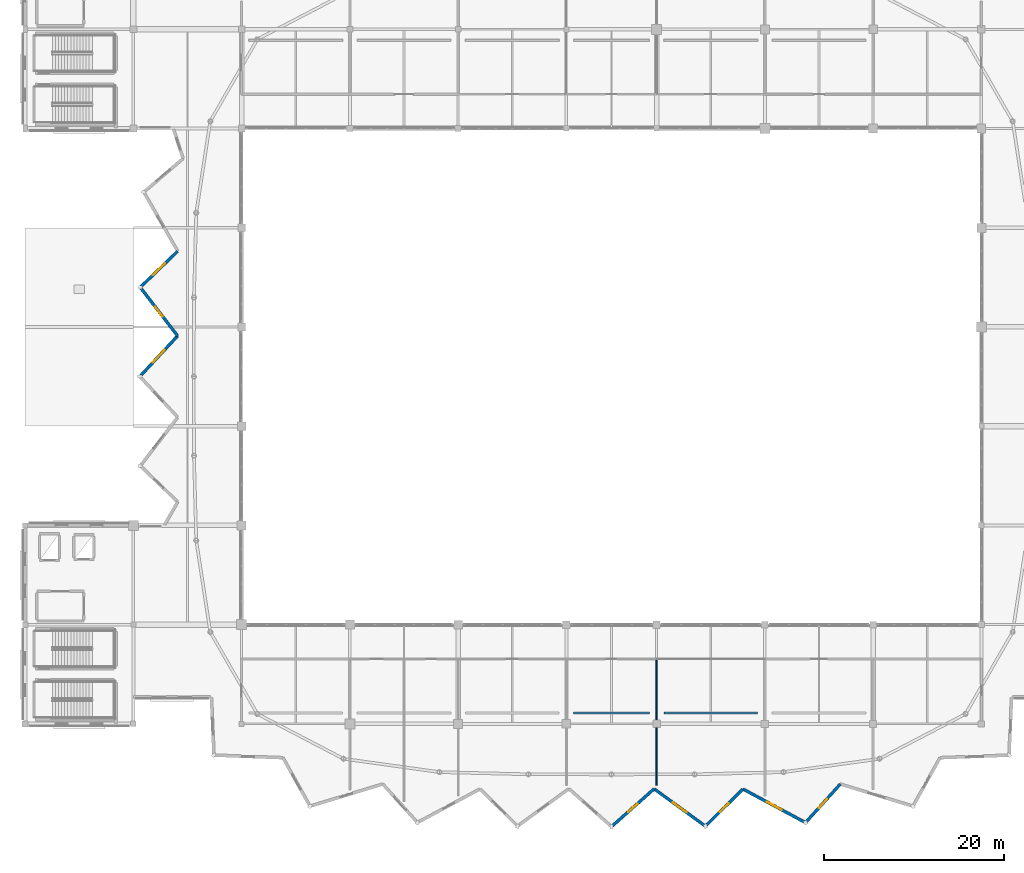
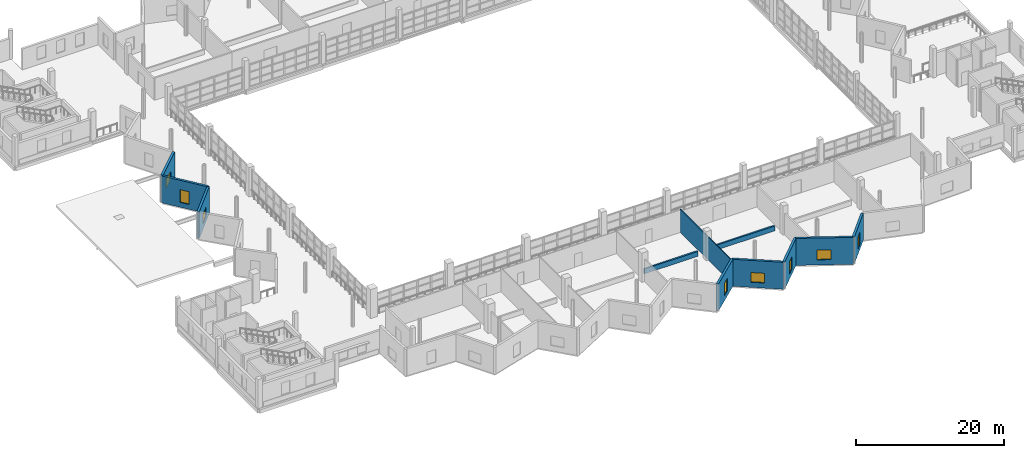
# One storey, part 37 of 53: 11 walls, 8 windows, 8 openings.
"""IFC4 building model written with IfcOpenShell, lengths in metres."""

from ifc_helpers import new_model, si_unit, direction, frame, frame_2d, origin, place, context, subcontext, project, spatial, rectangle, extrude, material, layer, layer_set, type_object, element, fill, save


model = new_model("IFC4")

# Units and contexts
model_context = context("Model", 3, precision=1e-05, world=origin(), true_north=direction((0.0, 1.0)))
body_context = subcontext(model_context, "Body", "Model", "MODEL_VIEW")
ifc_project = project(units=[si_unit("LENGTHUNIT", "METRE"), si_unit("AREAUNIT", "SQUARE_METRE"), si_unit("VOLUMEUNIT", "CUBIC_METRE"), si_unit("PLANEANGLEUNIT", "RADIAN"), si_unit("MASSUNIT", "GRAM", prefix="KILO")], contexts=[model_context])

# Site, building, storey
site_placement = place(None, origin())
site = spatial("IfcSite", under=ifc_project, at=site_placement, CompositionType="ELEMENT")
building_placement = place(site_placement, origin())
building = spatial("IfcBuilding", under=site, at=building_placement, Name="Luwafu Chhajja Arena", CompositionType="ELEMENT")
storey_placement = place(building_placement, frame((0.0, 0.0, 19.5)))
storey = spatial("IfcBuildingStorey", under=building, at=storey_placement, Name="L04", CompositionType="ELEMENT", Elevation=19.5)

# Wall
ifc_material_1 = material(Name="Lightweight blockwork partition", Category="masonry")
ifc_layer_1 = layer(ifc_material_1, 0.139892578125, Name="Lightweight blockwork partition")
ifc_layer_set_1 = layer_set([ifc_layer_1], Name="Lightweight blockwork partition")
wall_type_1 = type_object("IfcWallType", Name="Concourse Kiosk Partition 140", PredefinedType="PARTITIONING", material=ifc_layer_set_1)
wall_1_placement = place(storey_placement, frame((104.0, 4.1845703125, 0.0), z_axis=(0.0, 0.0, 1.0), x_axis=(0.0, 1.0, 0.0)))
element("IfcWall", 1, at=wall_1_placement, inside=storey, type_object=wall_type_1, Name="L04 Internal Partition 0327", PredefinedType="PARTITIONING", context=body_context, shape_type="SweptSolid", body=[
    extrude(rectangle(XDim=14.015380859375, YDim=0.139892578125, at=frame_2d((7.0078125, 0.0))), origin(), (0.0, 0.0, 1.0), 3.7900390625),
])

# Wall, opening, window
ifc_material_2 = material(Name="Precast concrete C40/50", Category="concrete")
ifc_layer_2 = layer(ifc_material_2, 0.340087890625, Name="Precast concrete C40/50")
ifc_layer_set_2 = layer_set([ifc_layer_2], Name="Precast concrete C40/50")
wall_type_2 = type_object("IfcWallType", Name="Pleated Bowl V-Fold Wall 340", PredefinedType="USERDEFINED", material=ifc_layer_set_2)
wall_2_placement = place(storey_placement, frame((50.89697265625, 63.394287109375, 0.0), z_axis=(0.0, 0.0, 1.0), x_axis=(-0.719894969607, -0.694083015737, 0.0)))
wall_2 = element("IfcWall", 2, at=wall_2_placement, inside=storey, type_object=wall_type_2, Name="L04 Pleated Bowl V-Fold Wall 30", ObjectType="PLEATED FACADE WALL", PredefinedType="USERDEFINED", context=body_context, shape_type="SweptSolid", body=[
    extrude(rectangle(XDim=5.76025390625, YDim=0.340087890625, at=frame_2d((2.880126953125, 0.0))), origin(), (0.0, 0.0, 1.0), 4.455078125),
])
opening_1_placement = place(wall_2_placement, frame((1.93017578125, 0.0, 0.85009765625)))
opening_1 = element("IfcOpeningElement", 3, at=opening_1_placement, cuts=wall_2, Name="Opening WN-15", PredefinedType="OPENING", context=body_context, shape_type="SweptSolid", body=[
    extrude(rectangle(XDim=1.89990234375, YDim=1.60009765625, at=frame_2d((0.949951171875, 0.800048828125))), frame((0.0, 0.179931640625, 0.0), z_axis=(0.0, -1.0, 0.0), x_axis=(1.0, 0.0, 0.0)), (0.0, 0.0, 1.0), 0.360107421875),
])
ifc_material_3 = material(Name="Solar-control laminated glass", Category="glass")
window_type_1 = type_object("IfcWindowType", Name="Pleated Drum Inward-Fold Clerestory 1900x1600", PartitioningType="SINGLE_PANEL", PredefinedType="WINDOW", material=ifc_material_3)
window_1_placement = place(opening_1_placement, origin())
window_1 = element("IfcWindow", 4, at=window_1_placement, inside=storey, type_object=window_type_1, Name="L04 Pleated Bowl Lancet Window 103", OverallHeight=1.60009765625, OverallWidth=1.89990234375, PartitioningType="SINGLE_PANEL", PredefinedType="WINDOW", context=body_context, shape_type="SweptSolid", body=[
    extrude(rectangle(XDim=1.89990234375, YDim=1.60009765625, at=frame_2d((0.949951171875, 0.800048828125))), frame((0.0, 0.030029296875, 0.0), z_axis=(0.0, -1.0, 0.0), x_axis=(1.0, 0.0, 0.0)), (0.0, 0.0, 1.0), 0.06005859375),
])
fill(opening_1, window_1)

wall_3_placement = place(storey_placement, frame((46.750244140625, 59.396240234375, 0.0), z_axis=(0.0, 0.0, 1.0), x_axis=(0.609656915655, -0.792665405575, 0.0)))
wall_3 = element("IfcWall", 5, at=wall_3_placement, inside=storey, type_object=wall_type_2, Name="L04 Pleated Bowl V-Fold Wall 31", ObjectType="PLEATED FACADE WALL", PredefinedType="USERDEFINED", context=body_context, shape_type="SweptSolid", body=[
    extrude(rectangle(XDim=6.79296875, YDim=0.340087890625, at=frame_2d((3.396484375, 0.0))), origin(), (0.0, 0.0, 1.0), 4.455078125),
])
opening_2_placement = place(wall_3_placement, frame((2.721435546875, 0.0, 0.800048828125)))
opening_2 = element("IfcOpeningElement", 6, at=opening_2_placement, cuts=wall_3, Name="Opening WN-17", PredefinedType="OPENING", context=body_context, shape_type="SweptSolid", body=[
    extrude(rectangle(XDim=1.35009765625, YDim=2.10009765625, at=frame_2d((0.675048828125, 1.050048828125))), frame((0.0, 0.179931640625, 0.0), z_axis=(0.0, -1.0, 0.0), x_axis=(1.0, 0.0, 0.0)), (0.0, 0.0, 1.0), 0.360107421875),
])
window_type_2 = type_object("IfcWindowType", Name="Exhibition Mezzanine Lancet Window 1350x2100", PartitioningType="SINGLE_PANEL", PredefinedType="WINDOW", material=ifc_material_3)
window_2_placement = place(opening_2_placement, origin())
window_2 = element("IfcWindow", 7, at=window_2_placement, inside=storey, type_object=window_type_2, Name="L04 Pleated Bowl Lancet Window 104", OverallHeight=2.10009765625, OverallWidth=1.35009765625, PartitioningType="SINGLE_PANEL", PredefinedType="WINDOW", context=body_context, shape_type="SweptSolid", body=[
    extrude(rectangle(XDim=1.35009765625, YDim=2.10009765625, at=frame_2d((0.675048828125, 1.050048828125))), frame((0.0, 0.030029296875, 0.0), z_axis=(0.0, -1.0, 0.0), x_axis=(1.0, 0.0, 0.0)), (0.0, 0.0, 1.0), 0.06005859375),
])
fill(opening_2, window_2)

wall_4_placement = place(storey_placement, frame((50.8916015625, 54.01171875, 0.0), z_axis=(0.0, 0.0, 1.0), x_axis=(-0.68064266922, -0.732615558692, 0.0)))
wall_4 = element("IfcWall", 8, at=wall_4_placement, inside=storey, type_object=wall_type_2, Name="L04 Pleated Bowl V-Fold Wall 32", ObjectType="PLEATED FACADE WALL", PredefinedType="USERDEFINED", context=body_context, shape_type="SweptSolid", body=[
    extrude(rectangle(XDim=6.158447265625, YDim=0.340087890625, at=frame_2d((3.0791015625, 0.0))), origin(), (0.0, 0.0, 1.0), 4.455078125),
])
opening_3_placement = place(wall_4_placement, frame((2.129150390625, 0.0, 0.85009765625)))
opening_3 = element("IfcOpeningElement", 9, at=opening_3_placement, cuts=wall_4, Name="Opening WN-15", PredefinedType="OPENING", context=body_context, shape_type="SweptSolid", body=[
    extrude(rectangle(XDim=1.89990234375, YDim=1.60009765625, at=frame_2d((0.949951171875, 0.800048828125))), frame((0.0, 0.179931640625, 0.0), z_axis=(0.0, -1.0, 0.0), x_axis=(1.0, 0.0, 0.0)), (0.0, 0.0, 1.0), 0.360107421875),
])
window_3_placement = place(opening_3_placement, origin())
window_3 = element("IfcWindow", 10, at=window_3_placement, inside=storey, type_object=window_type_1, Name="L04 Pleated Bowl Lancet Window 105", OverallHeight=1.60009765625, OverallWidth=1.89990234375, PartitioningType="SINGLE_PANEL", PredefinedType="WINDOW", context=body_context, shape_type="SweptSolid", body=[
    extrude(rectangle(XDim=1.89990234375, YDim=1.60009765625, at=frame_2d((0.949951171875, 0.800048828125))), frame((0.0, 0.030029296875, 0.0), z_axis=(0.0, -1.0, 0.0), x_axis=(1.0, 0.0, 0.0)), (0.0, 0.0, 1.0), 0.06005859375),
])
fill(opening_3, window_3)

wall_5_placement = place(storey_placement, frame((99.0, -0.39990234375, 0.0), z_axis=(0.0, 0.0, 1.0), x_axis=(0.74844895461, 0.663192402205, 0.0)))
wall_5 = element("IfcWall", 11, at=wall_5_placement, inside=storey, type_object=wall_type_2, Name="L04 Pleated Bowl V-Fold Wall 49", ObjectType="PLEATED FACADE WALL", PredefinedType="USERDEFINED", context=body_context, shape_type="SweptSolid", body=[
    extrude(rectangle(XDim=6.317138671875, YDim=0.340087890625, at=frame_2d((3.15869140625, 0.0))), origin(), (0.0, 0.0, 1.0), 4.455078125),
])
opening_4_placement = place(wall_5_placement, frame((2.483642578125, 0.0, 0.800048828125)))
opening_4 = element("IfcOpeningElement", 12, at=opening_4_placement, cuts=wall_5, Name="Opening WN-17", PredefinedType="OPENING", context=body_context, shape_type="SweptSolid", body=[
    extrude(rectangle(XDim=1.35009765625, YDim=2.10009765625, at=frame_2d((0.675048828125, 1.050048828125))), frame((0.0, 0.179931640625, 0.0), z_axis=(0.0, -1.0, 0.0), x_axis=(1.0, 0.0, 0.0)), (0.0, 0.0, 1.0), 0.360107421875),
])
window_4_placement = place(opening_4_placement, origin())
window_4 = element("IfcWindow", 13, at=window_4_placement, inside=storey, type_object=window_type_2, Name="L04 Pleated Bowl Lancet Window 118", OverallHeight=2.10009765625, OverallWidth=1.35009765625, PartitioningType="SINGLE_PANEL", PredefinedType="WINDOW", context=body_context, shape_type="SweptSolid", body=[
    extrude(rectangle(XDim=1.35009765625, YDim=2.10009765625, at=frame_2d((0.675048828125, 1.050048828125))), frame((0.0, 0.030029296875, 0.0), z_axis=(0.0, -1.0, 0.0), x_axis=(1.0, 0.0, 0.0)), (0.0, 0.0, 1.0), 0.06005859375),
])
fill(opening_4, window_4)

wall_6_placement = place(storey_placement, frame((103.72802734375, 3.78955078125, 0.0), z_axis=(0.0, 0.0, 1.0), x_axis=(0.808841233488, -0.588027090371, 0.0)))
wall_6 = element("IfcWall", 14, at=wall_6_placement, inside=storey, type_object=wall_type_2, Name="L04 Pleated Bowl V-Fold Wall 50", ObjectType="PLEATED FACADE WALL", PredefinedType="USERDEFINED", context=body_context, shape_type="SweptSolid", body=[
    extrude(rectangle(XDim=7.02734375, YDim=0.340087890625, at=frame_2d((3.513671875, 0.0))), origin(), (0.0, 0.0, 1.0), 4.455078125),
])
opening_5_placement = place(wall_6_placement, frame((2.563720703125, 0.0, 0.85009765625)))
opening_5 = element("IfcOpeningElement", 15, at=opening_5_placement, cuts=wall_6, Name="Opening WN-15", PredefinedType="OPENING", context=body_context, shape_type="SweptSolid", body=[
    extrude(rectangle(XDim=1.89990234375, YDim=1.60009765625, at=frame_2d((0.949951171875, 0.800048828125))), frame((0.0, 0.179931640625, 0.0), z_axis=(0.0, -1.0, 0.0), x_axis=(1.0, 0.0, 0.0)), (0.0, 0.0, 1.0), 0.360107421875),
])
window_5_placement = place(opening_5_placement, origin())
window_5 = element("IfcWindow", 16, at=window_5_placement, inside=storey, type_object=window_type_1, Name="L04 Pleated Bowl Lancet Window 119", OverallHeight=1.60009765625, OverallWidth=1.89990234375, PartitioningType="SINGLE_PANEL", PredefinedType="WINDOW", context=body_context, shape_type="SweptSolid", body=[
    extrude(rectangle(XDim=1.89990234375, YDim=1.60009765625, at=frame_2d((0.949951171875, 0.800048828125))), frame((0.0, 0.030029296875, 0.0), z_axis=(0.0, -1.0, 0.0), x_axis=(1.0, 0.0, 0.0)), (0.0, 0.0, 1.0), 0.06005859375),
])
fill(opening_5, window_5)

wall_7_placement = place(storey_placement, frame((109.412109375, -0.3427734375, 0.0), z_axis=(0.0, 0.0, 1.0), x_axis=(0.710084208502, 0.704116763638, 0.0)))
wall_7 = element("IfcWall", 17, at=wall_7_placement, inside=storey, type_object=wall_type_2, Name="L04 Pleated Bowl V-Fold Wall 51", ObjectType="PLEATED FACADE WALL", PredefinedType="USERDEFINED", context=body_context, shape_type="SweptSolid", body=[
    extrude(rectangle(XDim=5.850341796875, YDim=0.340087890625, at=frame_2d((2.92529296875, 0.0))), origin(), (0.0, 0.0, 1.0), 4.455078125),
])
opening_6_placement = place(wall_7_placement, frame((2.250244140625, 0.0, 0.800048828125)))
opening_6 = element("IfcOpeningElement", 18, at=opening_6_placement, cuts=wall_7, Name="Opening WN-17", PredefinedType="OPENING", context=body_context, shape_type="SweptSolid", body=[
    extrude(rectangle(XDim=1.35009765625, YDim=2.10009765625, at=frame_2d((0.675048828125, 1.050048828125))), frame((0.0, 0.179931640625, 0.0), z_axis=(0.0, -1.0, 0.0), x_axis=(1.0, 0.0, 0.0)), (0.0, 0.0, 1.0), 0.360107421875),
])
window_6_placement = place(opening_6_placement, origin())
window_6 = element("IfcWindow", 19, at=window_6_placement, inside=storey, type_object=window_type_2, Name="L04 Pleated Bowl Lancet Window 120", OverallHeight=2.10009765625, OverallWidth=1.35009765625, PartitioningType="SINGLE_PANEL", PredefinedType="WINDOW", context=body_context, shape_type="SweptSolid", body=[
    extrude(rectangle(XDim=1.35009765625, YDim=2.10009765625, at=frame_2d((0.675048828125, 1.050048828125))), frame((0.0, 0.030029296875, 0.0), z_axis=(0.0, -1.0, 0.0), x_axis=(1.0, 0.0, 0.0)), (0.0, 0.0, 1.0), 0.06005859375),
])
fill(opening_6, window_6)

wall_8_placement = place(storey_placement, frame((113.56640625, 3.776611328125, 0.0), z_axis=(0.0, 0.0, 1.0), x_axis=(0.881201188687, -0.472741435731, 0.0)))
wall_8 = element("IfcWall", 20, at=wall_8_placement, inside=storey, type_object=wall_type_2, Name="L04 Pleated Bowl V-Fold Wall 52", ObjectType="PLEATED FACADE WALL", PredefinedType="USERDEFINED", context=body_context, shape_type="SweptSolid", body=[
    extrude(rectangle(XDim=7.880859375, YDim=0.340087890625, at=frame_2d((3.9404296875, 0.0))), origin(), (0.0, 0.0, 1.0), 4.455078125),
])
opening_7_placement = place(wall_8_placement, frame((2.990234375, 0.0, 0.85009765625)))
opening_7 = element("IfcOpeningElement", 21, at=opening_7_placement, cuts=wall_8, Name="Opening WN-15", PredefinedType="OPENING", context=body_context, shape_type="SweptSolid", body=[
    extrude(rectangle(XDim=1.89990234375, YDim=1.60009765625, at=frame_2d((0.949951171875, 0.800048828125))), frame((0.0, 0.179931640625, 0.0), z_axis=(0.0, -1.0, 0.0), x_axis=(1.0, 0.0, 0.0)), (0.0, 0.0, 1.0), 0.360107421875),
])
window_7_placement = place(opening_7_placement, origin())
window_7 = element("IfcWindow", 22, at=window_7_placement, inside=storey, type_object=window_type_1, Name="L04 Pleated Bowl Lancet Window 121", OverallHeight=1.60009765625, OverallWidth=1.89990234375, PartitioningType="SINGLE_PANEL", PredefinedType="WINDOW", context=body_context, shape_type="SweptSolid", body=[
    extrude(rectangle(XDim=1.89990234375, YDim=1.60009765625, at=frame_2d((0.949951171875, 0.800048828125))), frame((0.0, 0.030029296875, 0.0), z_axis=(0.0, -1.0, 0.0), x_axis=(1.0, 0.0, 0.0)), (0.0, 0.0, 1.0), 0.06005859375),
])
fill(opening_7, window_7)

wall_9_placement = place(storey_placement, frame((120.510986328125, 0.051025390625, 0.0), z_axis=(0.0, 0.0, 1.0), x_axis=(0.670348131104, 0.742046752654, 0.0)))
wall_9 = element("IfcWall", 23, at=wall_9_placement, inside=storey, type_object=wall_type_2, Name="L04 Pleated Bowl V-Fold Wall 53", ObjectType="PLEATED FACADE WALL", PredefinedType="USERDEFINED", context=body_context, shape_type="SweptSolid", body=[
    extrude(rectangle(XDim=5.747802734375, YDim=0.340087890625, at=frame_2d((2.8740234375, 0.0))), origin(), (0.0, 0.0, 1.0), 4.455078125),
])
opening_8_placement = place(wall_9_placement, frame((2.198974609375, 0.0, 0.800048828125)))
opening_8 = element("IfcOpeningElement", 24, at=opening_8_placement, cuts=wall_9, Name="Opening WN-17", PredefinedType="OPENING", context=body_context, shape_type="SweptSolid", body=[
    extrude(rectangle(XDim=1.35009765625, YDim=2.10009765625, at=frame_2d((0.675048828125, 1.050048828125))), frame((0.0, 0.179931640625, 0.0), z_axis=(0.0, -1.0, 0.0), x_axis=(1.0, 0.0, 0.0)), (0.0, 0.0, 1.0), 0.360107421875),
])
window_8_placement = place(opening_8_placement, origin())
window_8 = element("IfcWindow", 25, at=window_8_placement, inside=storey, type_object=window_type_2, Name="L04 Pleated Bowl Lancet Window 122", OverallHeight=2.10009765625, OverallWidth=1.35009765625, PartitioningType="SINGLE_PANEL", PredefinedType="WINDOW", context=body_context, shape_type="SweptSolid", body=[
    extrude(rectangle(XDim=1.35009765625, YDim=2.10009765625, at=frame_2d((0.675048828125, 1.050048828125))), frame((0.0, 0.030029296875, 0.0), z_axis=(0.0, -1.0, 0.0), x_axis=(1.0, 0.0, 0.0)), (0.0, 0.0, 1.0), 0.06005859375),
])
fill(opening_8, window_8)

# Walls
ifc_layer_3 = layer(ifc_material_2, 0.25, Name="Precast concrete C40/50")
ifc_layer_set_3 = layer_set([ifc_layer_3], Name="Precast concrete C40/50")
wall_type_3 = type_object("IfcWallType", Name="Sandstone Coped Roof Parapet 250", PredefinedType="PARAPET", material=ifc_layer_set_3)
wall_10_placement = place(storey_placement, frame((94.800048828125, 12.199951171875, 0.0), z_axis=(0.0, 0.0, 1.0), x_axis=(1.0, 0.0, 0.0)))
element("IfcWall", 26, at=wall_10_placement, inside=storey, type_object=wall_type_3, Name="L04 Bowl South Gallery Upstand 4", PredefinedType="PARAPET", context=body_context, shape_type="SweptSolid", body=[
    extrude(rectangle(XDim=8.39990234375, YDim=0.25, at=frame_2d((4.199951171875, 0.0))), origin(), (0.0, 0.0, 1.0), 0.800048828125),
])
wall_11_placement = place(storey_placement, frame((104.800048828125, 12.199951171875, 0.0), z_axis=(0.0, 0.0, 1.0), x_axis=(1.0, 0.0, 0.0)))
element("IfcWall", 27, at=wall_11_placement, inside=storey, type_object=wall_type_3, Name="L04 Bowl South Gallery Upstand 5", PredefinedType="PARAPET", context=body_context, shape_type="SweptSolid", body=[
    extrude(rectangle(XDim=10.39990234375, YDim=0.25, at=frame_2d((5.199951171875, 0.0))), origin(), (0.0, 0.0, 1.0), 0.800048828125),
])

save(model, "model.ifc")
